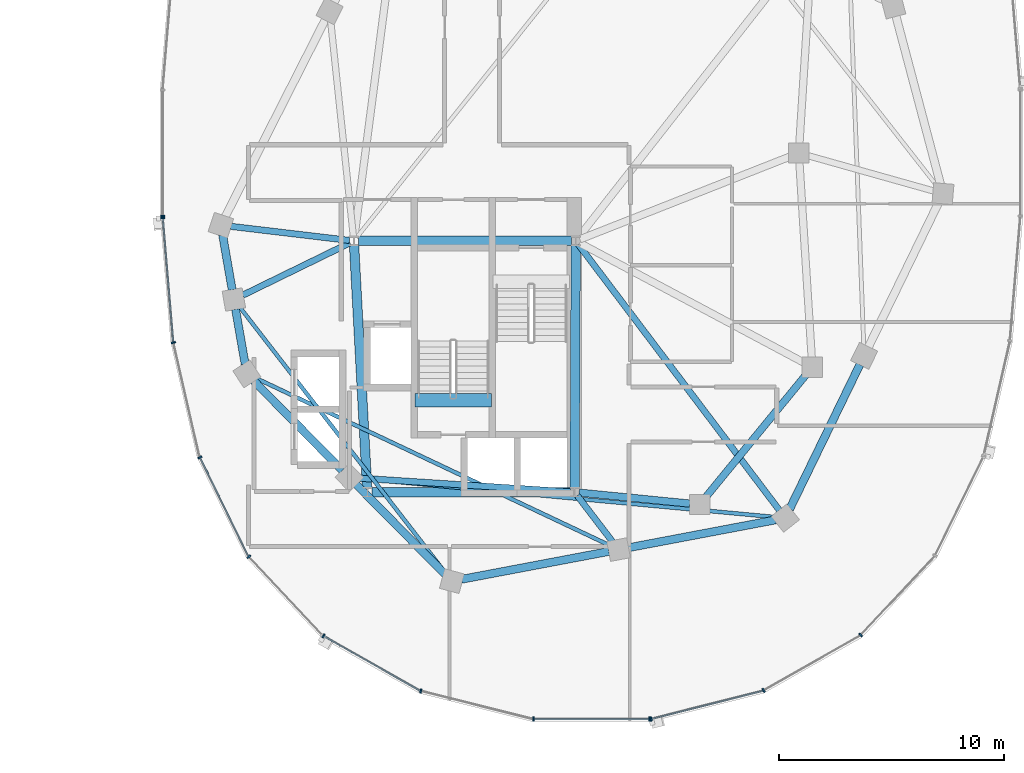
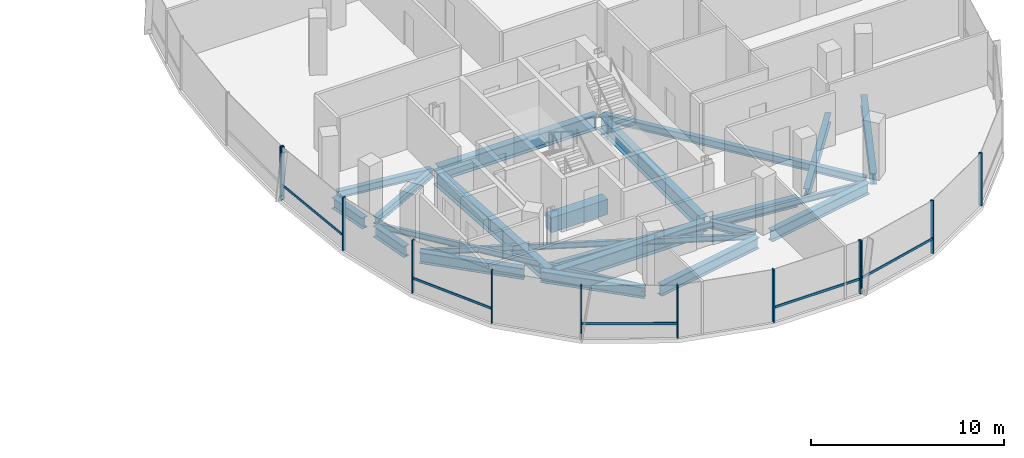
# One storey, part 8 of 25: 22 beams, 17 members, 3 elements without a shape of their own.
"""IFC4 building model written with IfcOpenShell, lengths in metres."""

from ifc_helpers import new_model, si_unit, direction, frame, origin, origin_2d, place, context, subcontext, project, spatial, rectangle, i_section, extrude, material, material_profile, profile_set, type_object, element, aggregate, save


model = new_model("IFC4")

# Units and contexts
model_context = context("Model", 3, precision=1e-05, world=origin(), true_north=direction((0.0, 1.0)))
body_context = subcontext(model_context, "Body", "Model", "MODEL_VIEW")
ifc_project = project(units=[si_unit("LENGTHUNIT", "METRE"), si_unit("AREAUNIT", "SQUARE_METRE"), si_unit("VOLUMEUNIT", "CUBIC_METRE"), si_unit("PLANEANGLEUNIT", "RADIAN"), si_unit("MASSUNIT", "GRAM", prefix="KILO"), si_unit("THERMODYNAMICTEMPERATUREUNIT", "KELVIN"), si_unit("POWERUNIT", "WATT")], contexts=[model_context])

# Site, building, storey
site_placement = place(None, origin())
site = spatial("IfcSite", under=ifc_project, at=site_placement, CompositionType="ELEMENT")
building_placement = place(site_placement, origin())
building = spatial("IfcBuilding", under=site, at=building_placement, Name="Cundina Bronze Exchange", CompositionType="ELEMENT")
storey_placement = place(building_placement, frame((0.0, 0.0, 217.0)))
storey = spatial("IfcBuildingStorey", under=building, at=storey_placement, Name="L57", CompositionType="ELEMENT", Elevation=217.0)

# Beams
ifc_material_1 = material(Name="Concrete C60/75", Category="concrete")
ifc_material_profile_1 = material_profile(ifc_material_1, rectangle(XDim=0.60009765625, YDim=0.949951171875, at=origin_2d()), Name="RC600X950", Category="concrete")
ifc_profile_set_1 = profile_set([ifc_material_profile_1], Name="Concrete C60/75")
beam_type_1 = type_object("IfcBeamType", Name="BM-COUP-RC950", PredefinedType="LINTEL", material=ifc_profile_set_1)
beam_1_placement = place(storey_placement, frame((24.159912109375, -10.97998046875, -0.47509765625), z_axis=(1.0, 0.0, 0.0), x_axis=(0.0, 1.0, 0.0)))
element("IfcBeam", 1, at=beam_1_placement, inside=storey, type_object=beam_type_1, Name="L57 Stair E2 Landing Header Beam", PredefinedType="LINTEL", context=body_context, shape_type="SweptSolid", body=[
    extrude(rectangle(XDim=0.60009765625, YDim=0.949951171875, at=origin_2d()), origin(), (0.0, 0.0, 1.0), 3.400146484375),
])
ifc_material_2 = material(Name="Steel ASTM A992 Grade 50", Category="steel")
ifc_material_profile_2 = material_profile(ifc_material_2, i_section(OverallWidth=0.280029296875, OverallDepth=0.462890625, WebThickness=0.0107421875, FlangeThickness=0.017333984375, FilletRadius=0.011962890625, at=origin_2d()), Name="W18X76", Category="steel")
ifc_profile_set_2 = profile_set([ifc_material_profile_2], Name="Steel ASTM A992 Grade 50")
beam_type_2 = type_object("IfcBeamType", Name="BM-FLR-W18A", PredefinedType="BEAM", material=ifc_profile_set_2)
beam_2_placement = place(storey_placement, frame((21.25537109375, -3.876953125, -0.491455078125), z_axis=(-0.993036786722, 0.117804669761, 0.0), x_axis=(-0.117804669761, -0.993036786722, 0.0)))
element("IfcBeam", 2, at=beam_2_placement, inside=storey, type_object=beam_type_2, Name="L57 Leg E Chordal Floor Beam 00", PredefinedType="BEAM", context=body_context, shape_type="SweptSolid", body=[
    extrude(i_section(OverallWidth=0.280029296875, OverallDepth=0.462890625, WebThickness=0.0107421875, FlangeThickness=0.017333984375, FilletRadius=0.011962890625, at=origin_2d()), origin(), (0.0, 0.0, 1.0), 5.307373046875),
])
beam_3_placement = place(storey_placement, frame((21.27392578125, -3.986083984375, -0.491455078125), z_axis=(-0.898613202677, -0.438741737214, 0.0), x_axis=(0.438741737214, -0.898613202677, 0.0)))
element("IfcBeam", 3, at=beam_3_placement, inside=storey, type_object=beam_type_2, Name="L57 Leg E Chordal Floor Beam 01", PredefinedType="BEAM", context=body_context, shape_type="SweptSolid", body=[
    extrude(i_section(OverallWidth=0.280029296875, OverallDepth=0.462890625, WebThickness=0.0107421875, FlangeThickness=0.017333984375, FilletRadius=0.011962890625, at=origin_2d()), origin(), (0.0, 0.0, 1.0), 5.2919921875),
])
beam_4_placement = place(storey_placement, frame((31.054443359375, -15.037353515625, -0.491455078125), z_axis=(-0.997894145252, 0.064863509559, 0.0), x_axis=(-0.064863509559, -0.997894145252, 0.0)))
element("IfcBeam", 4, at=beam_4_placement, inside=storey, type_object=beam_type_2, Name="L57 Leg E Chordal Floor Beam 03", PredefinedType="BEAM", context=body_context, shape_type="SweptSolid", body=[
    extrude(i_section(OverallWidth=0.280029296875, OverallDepth=0.462890625, WebThickness=0.0107421875, FlangeThickness=0.017333984375, FilletRadius=0.011962890625, at=origin_2d()), origin(), (0.0, 0.0, 1.0), 9.38720703125),
])
beam_5_placement = place(storey_placement, frame((31.369140625, -15.205810546875, -0.491455078125), z_axis=(0.60740437517, -0.794392802727, 0.0), x_axis=(0.794392802727, 0.60740437517, 0.0)))
element("IfcBeam", 5, at=beam_5_placement, inside=storey, type_object=beam_type_2, Name="L57 Leg E Chordal Floor Beam 05", PredefinedType="BEAM", context=body_context, shape_type="SweptSolid", body=[
    extrude(i_section(OverallWidth=0.280029296875, OverallDepth=0.462890625, WebThickness=0.0107421875, FlangeThickness=0.017333984375, FilletRadius=0.011962890625, at=origin_2d()), origin(), (0.0, 0.0, 1.0), 2.575927734375),
])
beam_6_placement = place(storey_placement, frame((31.418212890625, -4.056396484375, -0.491455078125), z_axis=(0.603104943786, -0.797661849897, 0.0), x_axis=(0.797661849897, 0.603104943786, 0.0)))
element("IfcBeam", 6, at=beam_6_placement, inside=storey, type_object=beam_type_2, Name="L57 Leg E Chordal Floor Beam 06", PredefinedType="BEAM", context=body_context, shape_type="SweptSolid", body=[
    extrude(i_section(OverallWidth=0.280029296875, OverallDepth=0.462890625, WebThickness=0.0107421875, FlangeThickness=0.017333984375, FilletRadius=0.011962890625, at=origin_2d()), origin(), (0.0, 0.0, 1.0), 14.785888671875),
])
ifc_material_profile_3 = material_profile(ifc_material_2, i_section(OverallWidth=0.172119140625, OverallDepth=0.35791015625, WebThickness=0.0078125, FlangeThickness=0.01318359375, FilletRadius=0.010009765625, at=origin_2d()), Name="W14X38", Category="steel")
ifc_profile_set_3 = profile_set([ifc_material_profile_3], Name="Steel ASTM A992 Grade 50")
beam_type_3 = type_object("IfcBeamType", Name="BM-JST-W14", PredefinedType="JOIST", material=ifc_profile_set_3)
beam_7_placement = place(storey_placement, frame((16.39306640625, -6.846435546875, -0.43896484375), z_axis=(0.612085793291, -0.790791364174, 0.0), x_axis=(0.790791364174, 0.612085793291, 0.0)))
element("IfcBeam", 7, at=beam_7_placement, inside=storey, type_object=beam_type_3, Name="L57 Leg E Lobe Floor Joist 01-04", PredefinedType="JOIST", context=body_context, shape_type="SweptSolid", body=[
    extrude(i_section(OverallWidth=0.172119140625, OverallDepth=0.35791015625, WebThickness=0.0078125, FlangeThickness=0.01318359375, FilletRadius=0.010009765625, at=origin_2d()), origin(), (0.0, 0.0, 1.0), 14.9306640625),
])
beam_8_placement = place(storey_placement, frame((17.095947265625, -9.9873046875, -0.43896484375), z_axis=(0.904073747204, -0.427376484632, 0.0), x_axis=(0.427376484632, 0.904073747204, 0.0)))
element("IfcBeam", 8, at=beam_8_placement, inside=storey, type_object=beam_type_3, Name="L57 Leg E Lobe Floor Joist 02-05", PredefinedType="JOIST", context=body_context, shape_type="SweptSolid", body=[
    extrude(i_section(OverallWidth=0.172119140625, OverallDepth=0.35791015625, WebThickness=0.0078125, FlangeThickness=0.01318359375, FilletRadius=0.010009765625, at=origin_2d()), origin(), (0.0, 0.0, 1.0), 17.374755859375),
])
beam_9_placement = place(storey_placement, frame((21.68603515625, -14.440673828125, -0.43896484375), z_axis=(0.9957017803, -0.092617302415, 0.0), x_axis=(0.092617302415, 0.9957017803, 0.0)))
element("IfcBeam", 9, at=beam_9_placement, inside=storey, type_object=beam_type_3, Name="L57 Leg E Lobe Floor Joist 03-06", PredefinedType="JOIST", context=body_context, shape_type="SweptSolid", body=[
    extrude(i_section(OverallWidth=0.172119140625, OverallDepth=0.35791015625, WebThickness=0.0078125, FlangeThickness=0.01318359375, FilletRadius=0.010009765625, at=origin_2d()), origin(), (0.0, 0.0, 1.0), 18.5576171875),
])
ifc_material_profile_4 = material_profile(ifc_material_2, i_section(OverallWidth=0.324951171875, OverallDepth=0.615966796875, WebThickness=0.013916015625, FlangeThickness=0.021484375, FilletRadius=0.01611328125, at=origin_2d()), Name="W24X117", Category="steel")
ifc_profile_set_4 = profile_set([ifc_material_profile_4], Name="Steel ASTM A992 Grade 50")
beam_type_4 = type_object("IfcBeamType", Name="BM-RING-W24", PredefinedType="USERDEFINED", material=ifc_profile_set_4)
beam_10_placement = place(storey_placement, frame((31.445068359375, -15.0693359375, -0.568115234375), z_axis=(0.995123854478, -0.09863323096, 0.0), x_axis=(0.09863323096, 0.995123854478, 0.0)))
element("IfcBeam", 10, at=beam_10_placement, inside=storey, type_object=beam_type_4, Name="L57 E Inner Structural Ring Girder 01", ObjectType="GIRDER", PredefinedType="USERDEFINED", context=body_context, shape_type="SweptSolid", body=[
    extrude(i_section(OverallWidth=0.324951171875, OverallDepth=0.615966796875, WebThickness=0.013916015625, FlangeThickness=0.021484375, FilletRadius=0.01611328125, at=origin_2d()), origin(), (0.0, 0.0, 1.0), 4.943115234375),
])
beam_11_placement = place(storey_placement, frame((37.07763671875, -15.26123046875, -0.568115234375), z_axis=(0.633912590175, 0.77340469873, 0.0), x_axis=(-0.77340469873, 0.633912590175, 0.0)))
element("IfcBeam", 11, at=beam_11_placement, inside=storey, type_object=beam_type_4, Name="L57 E Inner Structural Ring Girder 02", ObjectType="GIRDER", PredefinedType="USERDEFINED", context=body_context, shape_type="SweptSolid", body=[
    extrude(i_section(OverallWidth=0.324951171875, OverallDepth=0.615966796875, WebThickness=0.013916015625, FlangeThickness=0.021484375, FilletRadius=0.01611328125, at=origin_2d()), origin(), (0.0, 0.0, 1.0), 7.01123046875),
])
ifc_material_profile_5 = material_profile(ifc_material_2, i_section(OverallWidth=0.35498046875, OverallDepth=0.695068359375, WebThickness=0.015380859375, FlangeThickness=0.02490234375, FilletRadius=0.01806640625, at=origin_2d()), Name="W27X146", Category="steel")
ifc_profile_set_5 = profile_set([ifc_material_profile_5], Name="Steel ASTM A992 Grade 50")
beam_type_5 = type_object("IfcBeamType", Name="BM-RING-W27", PredefinedType="USERDEFINED", material=ifc_profile_set_5)
for number, where, z_axis, x_axis, name in (
    (12, (15.625244140625, -3.631591796875, -0.607421875), (0.171628556628, -0.985161732179, 0.0), (0.985161732179, 0.171628556628, 0.0), "L57 E Perimeter Ring Girder 00"),
    (13, (16.2001953125, -6.931396484375, -0.607421875), (0.171628556628, -0.985161732179, 0.0), (0.985161732179, 0.171628556628, 0.0), "L57 E Perimeter Ring Girder 01"),
):
    element("IfcBeam", number, at=place(storey_placement, frame(where, z_axis=z_axis, x_axis=x_axis)), inside=storey, type_object=beam_type_5, Name=name, ObjectType="GIRDER", PredefinedType="USERDEFINED", context=body_context, shape_type="SweptSolid", body=[
        extrude(i_section(OverallWidth=0.35498046875, OverallDepth=0.695068359375, WebThickness=0.015380859375, FlangeThickness=0.02490234375, FilletRadius=0.01806640625, at=origin_2d()), origin(), (0.0, 0.0, 1.0), 2.4736328125),
    ])
for number, where, z_axis, x_axis, name in (
    (14, (17.008056640625, -10.111328125, -0.607421875), (0.703211928763, -0.710980297368, 0.0), (0.710980297368, 0.703211928763, 0.0), "L57 E Perimeter Ring Girder 02"),
    (15, (21.55810546875, -14.71142578125, -0.607421875), (0.703211928763, -0.710980297368, 0.0), (0.710980297368, 0.703211928763, 0.0), "L57 E Perimeter Ring Girder 03"),
):
    element("IfcBeam", number, at=place(storey_placement, frame(where, z_axis=z_axis, x_axis=x_axis)), inside=storey, type_object=beam_type_5, Name=name, ObjectType="GIRDER", PredefinedType="USERDEFINED", context=body_context, shape_type="SweptSolid", body=[
        extrude(i_section(OverallWidth=0.35498046875, OverallDepth=0.695068359375, WebThickness=0.015380859375, FlangeThickness=0.02490234375, FilletRadius=0.01806640625, at=origin_2d()), origin(), (0.0, 0.0, 1.0), 5.593994140625),
    ])
beam_12_placement = place(storey_placement, frame((26.23046875, -18.918701171875, -0.607421875), z_axis=(0.982565174657, 0.185918470175, 0.0), x_axis=(-0.185918470175, 0.982565174657, 0.0)))
element("IfcBeam", 16, at=beam_12_placement, inside=storey, type_object=beam_type_5, Name="L57 E Perimeter Ring Girder 04", ObjectType="GIRDER", PredefinedType="USERDEFINED", context=body_context, shape_type="SweptSolid", body=[
    extrude(i_section(OverallWidth=0.35498046875, OverallDepth=0.695068359375, WebThickness=0.015380859375, FlangeThickness=0.02490234375, FilletRadius=0.01806640625, at=origin_2d()), origin(), (0.0, 0.0, 1.0), 6.655029296875),
])
beam_13_placement = place(storey_placement, frame((33.63037109375, -17.5185546875, -0.607421875), z_axis=(0.982573143022, 0.185876353022, 0.0), x_axis=(-0.185876353022, 0.982573143022, 0.0)))
element("IfcBeam", 17, at=beam_13_placement, inside=storey, type_object=beam_type_5, Name="L57 E Perimeter Ring Girder 05", ObjectType="GIRDER", PredefinedType="USERDEFINED", context=body_context, shape_type="SweptSolid", body=[
    extrude(i_section(OverallWidth=0.35498046875, OverallDepth=0.695068359375, WebThickness=0.015380859375, FlangeThickness=0.02490234375, FilletRadius=0.01806640625, at=origin_2d()), origin(), (0.0, 0.0, 1.0), 6.6552734375),
])
beam_14_placement = place(storey_placement, frame((40.79150390625, -15.80615234375, -0.607421875), z_axis=(0.437173087764, 0.89937739094, 0.0), x_axis=(-0.89937739094, 0.437173087764, 0.0)))
element("IfcBeam", 18, at=beam_14_placement, inside=storey, type_object=beam_type_5, Name="L57 E Perimeter Ring Girder 06", ObjectType="GIRDER", PredefinedType="USERDEFINED", context=body_context, shape_type="SweptSolid", body=[
    extrude(i_section(OverallWidth=0.35498046875, OverallDepth=0.695068359375, WebThickness=0.015380859375, FlangeThickness=0.02490234375, FilletRadius=0.01806640625, at=origin_2d()), origin(), (0.0, 0.0, 1.0), 7.1298828125),
])
ifc_material_profile_6 = material_profile(ifc_material_2, i_section(OverallWidth=0.41796875, OverallDepth=0.927001953125, WebThickness=0.019287109375, FlangeThickness=0.031982421875, FilletRadius=0.02392578125, at=origin_2d()), Name="W36X231", Category="steel")
ifc_profile_set_6 = profile_set([ifc_material_profile_6], Name="Steel ASTM A992 Grade 50")
beam_type_6 = type_object("IfcBeamType", Name="BM-WRN-W36B", PredefinedType="USERDEFINED", material=ifc_profile_set_6)
beam_15_placement = place(storey_placement, frame((31.10400390625, -3.89990234375, -0.723388671875), z_axis=(-1.0, 0.0, 0.0), x_axis=(0.0, -1.0, 0.0)))
element("IfcBeam", 19, at=beam_15_placement, inside=storey, type_object=beam_type_6, Name="L57 E Core Perimeter Tie Girder 1", ObjectType="GIRDER", PredefinedType="USERDEFINED", context=body_context, shape_type="SweptSolid", body=[
    extrude(i_section(OverallWidth=0.41796875, OverallDepth=0.927001953125, WebThickness=0.019287109375, FlangeThickness=0.031982421875, FilletRadius=0.02392578125, at=origin_2d()), origin(), (0.0, 0.0, 1.0), 9.4580078125),
])
beam_16_placement = place(storey_placement, frame((21.46044921875, -4.095703125, -0.723388671875), z_axis=(0.053749317644, -0.998554460634, 0.0), x_axis=(0.998554460634, 0.053749317644, 0.0)))
element("IfcBeam", 20, at=beam_16_placement, inside=storey, type_object=beam_type_6, Name="L57 E Core Perimeter Tie Girder 2", ObjectType="GIRDER", PredefinedType="USERDEFINED", context=body_context, shape_type="SweptSolid", body=[
    extrude(i_section(OverallWidth=0.41796875, OverallDepth=0.927001953125, WebThickness=0.019287109375, FlangeThickness=0.031982421875, FilletRadius=0.02392578125, at=origin_2d()), origin(), (0.0, 0.0, 1.0), 10.774169921875),
])
beam_17_placement = place(storey_placement, frame((22.24609375, -15.050048828125, -0.723388671875), z_axis=(1.0, 0.0, 0.0), x_axis=(0.0, 1.0, 0.0)))
element("IfcBeam", 21, at=beam_17_placement, inside=storey, type_object=beam_type_6, Name="L57 E Core Perimeter Tie Girder 3", ObjectType="GIRDER", PredefinedType="USERDEFINED", context=body_context, shape_type="SweptSolid", body=[
    extrude(i_section(OverallWidth=0.41796875, OverallDepth=0.927001953125, WebThickness=0.019287109375, FlangeThickness=0.031982421875, FilletRadius=0.02392578125, at=origin_2d()), origin(), (0.0, 0.0, 1.0), 8.807861328125),
])
beam_18_placement = place(storey_placement, frame((31.2509765625, -14.85400390625, -0.723388671875), z_axis=(0.004470623654, 0.999990006712, 0.0), x_axis=(-0.999990006712, 0.004470623654, 0.0)))
element("IfcBeam", 22, at=beam_18_placement, inside=storey, type_object=beam_type_6, Name="L57 E Core Perimeter Tie Girder 4", ObjectType="GIRDER", PredefinedType="USERDEFINED", context=body_context, shape_type="SweptSolid", body=[
    extrude(i_section(OverallWidth=0.41796875, OverallDepth=0.927001953125, WebThickness=0.019287109375, FlangeThickness=0.031982421875, FilletRadius=0.02392578125, at=origin_2d()), origin(), (0.0, 0.0, 1.0), 10.758056640625),
])

# Curtain wall, member
ifc_material_3 = material(Name="Anodised Bronze Aluminium 6063-T6", Category="aluminium")
curtain_wall_type = type_object("IfcCurtainWallType", Name="CWS-UPP-OFF", PredefinedType="NOTDEFINED", material=ifc_material_3)
curtain_wall_1_placement = place(storey_placement, origin())
curtain_wall_1 = element("IfcCurtainWall", 23, at=curtain_wall_1_placement, inside=storey, type_object=curtain_wall_type, Name="L57 CW-05 Curtain Wall Run CWR-L57-E2", PredefinedType="NOTDEFINED")
ifc_material_profile_7 = material_profile(ifc_material_3, rectangle(XDim=0.070068359375, YDim=0.18994140625, at=origin_2d()), Name="AL70X190", Category="aluminium")
ifc_profile_set_7 = profile_set([ifc_material_profile_7], Name="Anodised Bronze Aluminium 6063-T6")
member_type_1 = type_object("IfcMemberType", Name="CWM-MUL-190", PredefinedType="MULLION", material=ifc_profile_set_7)
member_1_placement = place(storey_placement, frame((12.966064453125, -2.794921875, 0.0), z_axis=(0.0, 0.0, 1.0), x_axis=(0.0, -1.0, 0.0)))
member_1 = element("IfcMember", 24, at=member_1_placement, type_object=member_type_1, Name="CW-05 End Mullion", PredefinedType="MULLION", context=body_context, shape_type="SweptSolid", body=[
    extrude(rectangle(XDim=0.070068359375, YDim=0.18994140625, at=origin_2d()), origin(), (0.0, 0.0, 1.0), 3.340087890625),
])
aggregate(curtain_wall_1, [member_1])

# Curtain wall, members
curtain_wall_2_placement = place(storey_placement, origin())
curtain_wall_2 = element("IfcCurtainWall", 25, at=curtain_wall_2_placement, inside=storey, type_object=curtain_wall_type, Name="L57 CW-05 Curtain Wall Run CWR-L57-E3", PredefinedType="NOTDEFINED")
member_2_placement = place(storey_placement, frame((12.9697265625, -2.88330078125, 0.0), z_axis=(0.0, 0.0, 1.0), x_axis=(0.083677843332, -0.99649285925, 0.0)))
member_2 = element("IfcMember", 26, at=member_2_placement, type_object=member_type_1, Name="CW-05 Mullion 1", PredefinedType="MULLION", context=body_context, shape_type="SweptSolid", body=[
    extrude(rectangle(XDim=0.070068359375, YDim=0.18994140625, at=origin_2d()), origin(), (0.0, 0.0, 1.0), 3.340087890625),
])
member_3_placement = place(storey_placement, frame((13.43994140625, -8.4111328125, 0.0), z_axis=(0.0, 0.0, 1.0), x_axis=(0.223250116011, -0.974761194191, 0.0)))
member_3 = element("IfcMember", 27, at=member_3_placement, type_object=member_type_1, Name="CW-05 Mullion 2", PredefinedType="MULLION", context=body_context, shape_type="SweptSolid", body=[
    extrude(rectangle(XDim=0.070068359375, YDim=0.18994140625, at=origin_2d()), origin(), (0.0, 0.0, 1.0), 3.340087890625),
])
member_4_placement = place(storey_placement, frame((14.61572265625, -13.50732421875, 0.0), z_axis=(0.0, 0.0, 1.0), x_axis=(0.440566004113, -0.897720221461, 0.0)))
member_4 = element("IfcMember", 28, at=member_4_placement, type_object=member_type_1, Name="CW-05 Mullion 3", PredefinedType="MULLION", context=body_context, shape_type="SweptSolid", body=[
    extrude(rectangle(XDim=0.070068359375, YDim=0.18994140625, at=origin_2d()), origin(), (0.0, 0.0, 1.0), 3.340087890625),
])
member_5_placement = place(storey_placement, frame((16.790283203125, -17.91796875, 0.0), z_axis=(0.0, 0.0, 1.0), x_axis=(0.684292606175, -0.729207535023, 0.0)))
member_5 = element("IfcMember", 29, at=member_5_placement, type_object=member_type_1, Name="CW-05 Mullion 4", PredefinedType="MULLION", context=body_context, shape_type="SweptSolid", body=[
    extrude(rectangle(XDim=0.070068359375, YDim=0.18994140625, at=origin_2d()), origin(), (0.0, 0.0, 1.0), 3.340087890625),
])
member_6_placement = place(storey_placement, frame((20.100341796875, -21.43115234375, 0.0), z_axis=(0.0, 0.0, 1.0), x_axis=(0.86958112538, -0.493790103568, 0.0)))
member_6 = element("IfcMember", 30, at=member_6_placement, type_object=member_type_1, Name="CW-05 Mullion 5", PredefinedType="MULLION", context=body_context, shape_type="SweptSolid", body=[
    extrude(rectangle(XDim=0.070068359375, YDim=0.18994140625, at=origin_2d()), origin(), (0.0, 0.0, 1.0), 3.340087890625),
])
member_7_placement = place(storey_placement, frame((24.422607421875, -23.87548828125, 0.0), z_axis=(0.0, 0.0, 1.0), x_axis=(0.969744325821, -0.244122802168, 0.0)))
member_7 = element("IfcMember", 31, at=member_7_placement, type_object=member_type_1, Name="CW-05 Mullion 6", PredefinedType="MULLION", context=body_context, shape_type="SweptSolid", body=[
    extrude(rectangle(XDim=0.070068359375, YDim=0.18994140625, at=origin_2d()), origin(), (0.0, 0.0, 1.0), 3.340087890625),
])
member_8_placement = place(storey_placement, frame((29.419921875, -25.125, 0.0), z_axis=(0.0, 0.0, 1.0), x_axis=(1.0, 0.0, 0.0)))
member_8 = element("IfcMember", 32, at=member_8_placement, type_object=member_type_1, Name="CW-05 Mullion 7", PredefinedType="MULLION", context=body_context, shape_type="SweptSolid", body=[
    extrude(rectangle(XDim=0.070068359375, YDim=0.18994140625, at=origin_2d()), origin(), (0.0, 0.0, 1.0), 3.340087890625),
])
member_9_placement = place(storey_placement, frame((34.580078125, -25.125, 0.0), z_axis=(0.0, 0.0, 1.0), x_axis=(1.0, 0.0, 0.0)))
member_9 = element("IfcMember", 33, at=member_9_placement, type_object=member_type_1, Name="CW-05 End Mullion", PredefinedType="MULLION", context=body_context, shape_type="SweptSolid", body=[
    extrude(rectangle(XDim=0.070068359375, YDim=0.18994140625, at=origin_2d()), origin(), (0.0, 0.0, 1.0), 3.340087890625),
])

curtain_wall_3_placement = place(storey_placement, origin())
curtain_wall_3 = element("IfcCurtainWall", 34, at=curtain_wall_3_placement, inside=storey, type_object=curtain_wall_type, Name="L57 CW-05 Curtain Wall Run CWR-L57-E4", PredefinedType="NOTDEFINED")
member_10_placement = place(storey_placement, frame((34.6484375, -25.116455078125, 0.0), z_axis=(0.0, 0.0, 1.0), x_axis=(0.969744325821, 0.244122802168, 0.0)))
member_10 = element("IfcMember", 35, at=member_10_placement, type_object=member_type_1, Name="CW-05 Mullion 1", PredefinedType="MULLION", context=body_context, shape_type="SweptSolid", body=[
    extrude(rectangle(XDim=0.070068359375, YDim=0.18994140625, at=origin_2d()), origin(), (0.0, 0.0, 1.0), 3.340087890625),
])
member_11_placement = place(storey_placement, frame((39.638916015625, -23.850830078125, 0.0), z_axis=(0.0, 0.0, 1.0), x_axis=(0.86958112538, 0.493790103568, 0.0)))
member_11 = element("IfcMember", 36, at=member_11_placement, type_object=member_type_1, Name="CW-05 Mullion 2", PredefinedType="MULLION", context=body_context, shape_type="SweptSolid", body=[
    extrude(rectangle(XDim=0.070068359375, YDim=0.18994140625, at=origin_2d()), origin(), (0.0, 0.0, 1.0), 3.340087890625),
])
member_12_placement = place(storey_placement, frame((43.94873046875, -21.392578125, 0.0), z_axis=(0.0, 0.0, 1.0), x_axis=(0.684292606175, 0.729207535023, 0.0)))
member_12 = element("IfcMember", 37, at=member_12_placement, type_object=member_type_1, Name="CW-05 Mullion 3", PredefinedType="MULLION", context=body_context, shape_type="SweptSolid", body=[
    extrude(rectangle(XDim=0.070068359375, YDim=0.18994140625, at=origin_2d()), origin(), (0.0, 0.0, 1.0), 3.340087890625),
])

# Member
ifc_material_profile_8 = material_profile(ifc_material_3, rectangle(XDim=0.06494140625, YDim=0.14990234375, at=origin_2d()), Name="AL65X150", Category="aluminium")
ifc_profile_set_8 = profile_set([ifc_material_profile_8], Name="Anodised Bronze Aluminium 6063-T6")
member_type_2 = type_object("IfcMemberType", Name="CWM-TRN-150", PredefinedType="USERDEFINED", material=ifc_profile_set_8)
member_13_placement = place(storey_placement, frame((12.972900390625, -2.921630859375, 0.919921875), z_axis=(0.083740331158, -0.996487610027, 0.0), x_axis=(0.996487610027, 0.083740331158, 0.0)))
member_13 = element("IfcMember", 38, at=member_13_placement, type_object=member_type_2, Name="CW-05 Spandrel Transom 1", ObjectType="TRANSOM", PredefinedType="USERDEFINED", context=body_context, shape_type="SweptSolid", body=[
    extrude(rectangle(XDim=0.06494140625, YDim=0.14990234375, at=origin_2d()), origin(), (0.0, 0.0, 1.0), 5.466552734375),
])

member_14_placement = place(storey_placement, frame((14.6328125, -13.5419921875, 0.919921875), z_axis=(0.440483110889, -0.897760897467, 0.0), x_axis=(0.897760897467, 0.440483110889, 0.0)))
member_14 = element("IfcMember", 39, at=member_14_placement, type_object=member_type_2, Name="CW-05 Spandrel Transom 3", ObjectType="TRANSOM", PredefinedType="USERDEFINED", context=body_context, shape_type="SweptSolid", body=[
    extrude(rectangle(XDim=0.06494140625, YDim=0.14990234375, at=origin_2d()), origin(), (0.0, 0.0, 1.0), 4.855224609375),
])

member_15_placement = place(storey_placement, frame((20.1337890625, -21.4501953125, 0.919921875), z_axis=(0.869573748083, -0.493803095013, 0.0), x_axis=(0.493803095013, 0.869573748083, 0.0)))
member_15 = element("IfcMember", 40, at=member_15_placement, type_object=member_type_2, Name="CW-05 Spandrel Transom 5", ObjectType="TRANSOM", PredefinedType="USERDEFINED", context=body_context, shape_type="SweptSolid", body=[
    extrude(rectangle(XDim=0.06494140625, YDim=0.14990234375, at=origin_2d()), origin(), (0.0, 0.0, 1.0), 4.900146484375),
])

member_16_placement = place(storey_placement, frame((29.45849609375, -25.125, 0.919921875), z_axis=(1.0, 0.0, 0.0), x_axis=(0.0, 1.0, 0.0)))
member_16 = element("IfcMember", 41, at=member_16_placement, type_object=member_type_2, Name="CW-05 Spandrel Transom 7", ObjectType="TRANSOM", PredefinedType="USERDEFINED", context=body_context, shape_type="SweptSolid", body=[
    extrude(rectangle(XDim=0.06494140625, YDim=0.14990234375, at=origin_2d()), origin(), (0.0, 0.0, 1.0), 5.0830078125),
])

aggregate(curtain_wall_2, [member_2, member_13, member_3, member_4, member_14, member_5, member_6, member_15, member_7, member_8, member_9, member_16])

member_17_placement = place(storey_placement, frame((34.685791015625, -25.107177734375, 0.919921875), z_axis=(0.969725738797, 0.244196624699, 0.0), x_axis=(-0.244196624699, 0.969725738797, 0.0)))
member_17 = element("IfcMember", 42, at=member_17_placement, type_object=member_type_2, Name="CW-05 Spandrel Transom 1", ObjectType="TRANSOM", PredefinedType="USERDEFINED", context=body_context, shape_type="SweptSolid", body=[
    extrude(rectangle(XDim=0.06494140625, YDim=0.14990234375, at=origin_2d()), origin(), (0.0, 0.0, 1.0), 5.082763671875),
])

aggregate(curtain_wall_3, [member_10, member_17, member_11, member_12])

save(model, "model.ifc")
